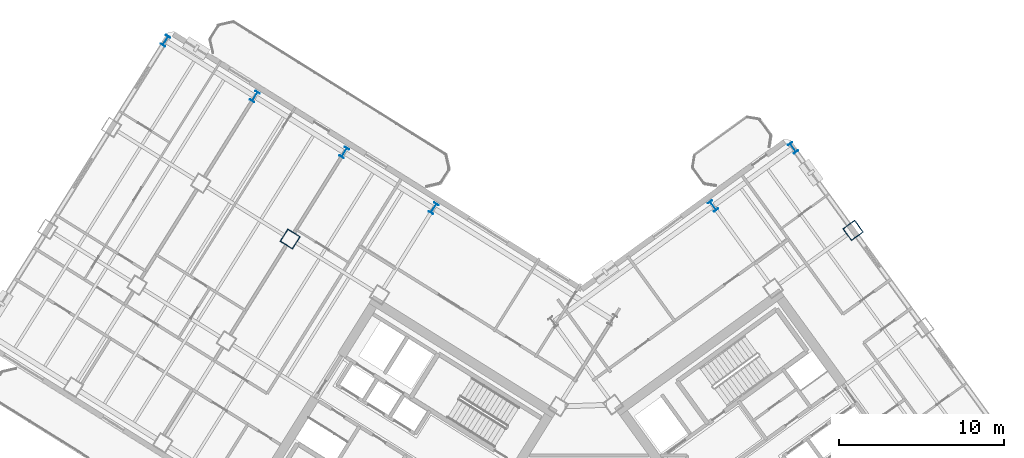
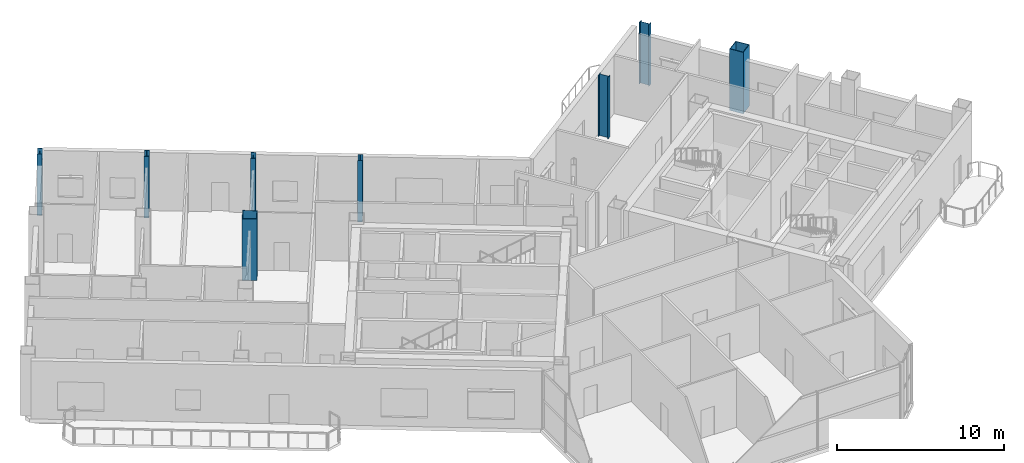
# One storey, part 3 of 21: 8 columns.
"""IFC4 building model written with IfcOpenShell, lengths in metres."""

from ifc_helpers import new_model, si_unit, direction, frame, origin, origin_2d, place, context, subcontext, project, spatial, hollow_rectangle, i_section, extrude, source, transform, mapped, material, material_profile, profile_set, type_object, element, save


model = new_model("IFC4")

# Units and contexts
model_context = context("Model", 3, precision=1e-05, world=origin(), true_north=direction((0.0, 1.0)))
body_context = subcontext(model_context, "Body", "Model", "MODEL_VIEW")
ifc_project = project(units=[si_unit("LENGTHUNIT", "METRE"), si_unit("AREAUNIT", "SQUARE_METRE"), si_unit("VOLUMEUNIT", "CUBIC_METRE"), si_unit("PLANEANGLEUNIT", "RADIAN"), si_unit("MASSUNIT", "GRAM", prefix="KILO")], contexts=[model_context])

# Site, building, storey
site_placement = place(None, origin())
site = spatial("IfcSite", under=ifc_project, at=site_placement, CompositionType="ELEMENT")
building_placement = place(site_placement, origin())
building = spatial("IfcBuilding", under=site, at=building_placement, Name="Tlacorven Tower", CompositionType="ELEMENT")
storey_placement = place(building_placement, frame((0.0, 0.0, 100.800048828125)))
storey = spatial("IfcBuildingStorey", under=building, at=storey_placement, Name="L25", CompositionType="ELEMENT", Elevation=100.800048828125)

# Columns
ifc_material = material(Name="Steel S460M", Category="steel")
ifc_material_profile_1 = material_profile(ifc_material, i_section(OverallWidth=0.300048828125, OverallDepth=0.64990234375, WebThickness=0.01611328125, FlangeThickness=0.031005859375, at=origin_2d()), Name="HEB 650")
ifc_profile_set_1 = profile_set([ifc_material_profile_1], Name="Steel S460M")
column_type_1 = type_object("IfcColumnType", Name="COL-TWR-P1", PredefinedType="COLUMN", material=ifc_profile_set_1)
shared_shape_1 = source(origin(), body_context, "Body", "SweptSolid", [
    extrude(i_section(OverallWidth=0.300048828125, OverallDepth=0.64990234375, WebThickness=0.01611328125, FlangeThickness=0.031005859375, at=origin_2d()), origin(), (0.0, 0.0, 1.0), 4.5),
])
for number, where, z_axis, x_axis, name in (
    (1, (33.21337890625, 36.50927734375, 0.0), (0.0, 0.0, 1.0), (-0.848048096156, 0.529919264233, 0.0), "L25 column COL-L25-W3-1"),
    (2, (27.785888671875, 39.900634765625, 0.0), (0.0, 0.0, 1.0), (-0.848048096156, 0.529919264233, 0.0), "L25 column COL-L25-W4-1"),
    (3, (22.3583984375, 43.292236328125, 0.0), (0.0, 0.0, 1.0), (-0.848048096156, 0.529919264233, 0.0), "L25 column COL-L25-W5-1"),
    (4, (16.930908203125, 46.68359375, 0.0), (0.0, 0.0, 1.0), (-0.848048096156, 0.529919264233, 0.0), "L25 column COL-L25-W6-1"),
    (5, (50.187744140625, 36.654296875, 0.0), (0.0, 0.0, 1.0), (0.809016994375, 0.587785252292, 0.0), "L25 column COL-L25-E3-4"),
    (6, (55.041748046875, 40.18115234375, 0.0), (0.0, 0.0, 1.0), (0.809016994375, 0.587785252292, 0.0), "L25 column COL-L25-E4-4"),
):
    element("IfcColumn", number, at=place(storey_placement, frame(where, z_axis=z_axis, x_axis=x_axis)), inside=storey, type_object=column_type_1, Name=name, PredefinedType="COLUMN", context=body_context, shape_type="MappedRepresentation", body=[
        mapped(shared_shape_1, transform((0.0, 0.0, 0.0), scale=1.0)),
    ])
ifc_material_profile_2 = material_profile(ifc_material, hollow_rectangle(XDim=0.89990234375, YDim=0.89990234375, WallThickness=0.035888671875, at=origin_2d()), Name="BOX 900X900X36")
ifc_profile_set_2 = profile_set([ifc_material_profile_2], Name="Steel S460M")
column_type_2 = type_object("IfcColumnType", Name="COL-TWR-S2", PredefinedType="COLUMN", material=ifc_profile_set_2)
shared_shape_2 = source(origin(), body_context, "Body", "SweptSolid", [
    extrude(hollow_rectangle(XDim=0.89990234375, YDim=0.89990234375, WallThickness=0.035888671875, at=origin_2d()), origin(), (0.0, 0.0, 1.0), 4.5),
])
for number, where, z_axis, x_axis, name in (
    (7, (24.50048828125, 34.642822265625, 0.0), (0.0, 0.0, 1.0), (-0.848048096156, 0.529919264233, 0.0), "L25 column COL-L25-W4-2"),
    (8, (58.68603515625, 35.165283203125, 0.0), (0.0, 0.0, 1.0), (0.809016994375, 0.587785252292, 0.0), "L25 column COL-L25-E4-3"),
):
    element("IfcColumn", number, at=place(storey_placement, frame(where, z_axis=z_axis, x_axis=x_axis)), inside=storey, type_object=column_type_2, Name=name, PredefinedType="COLUMN", context=body_context, shape_type="MappedRepresentation", body=[
        mapped(shared_shape_2, transform((0.0, 0.0, 0.0), scale=1.0)),
    ])

save(model, "model.ifc")
